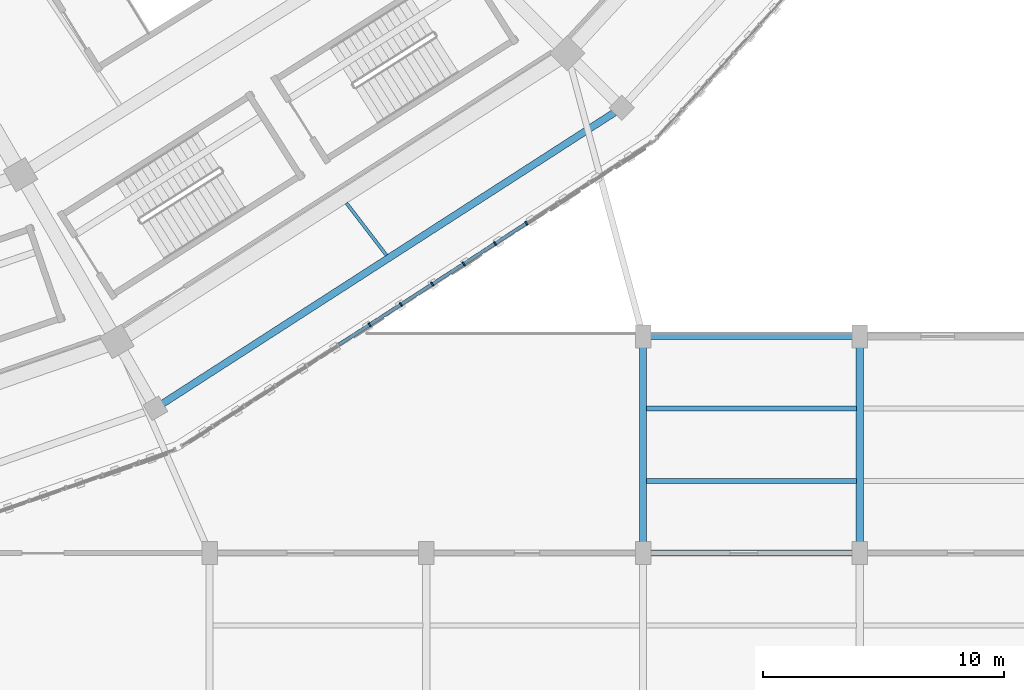
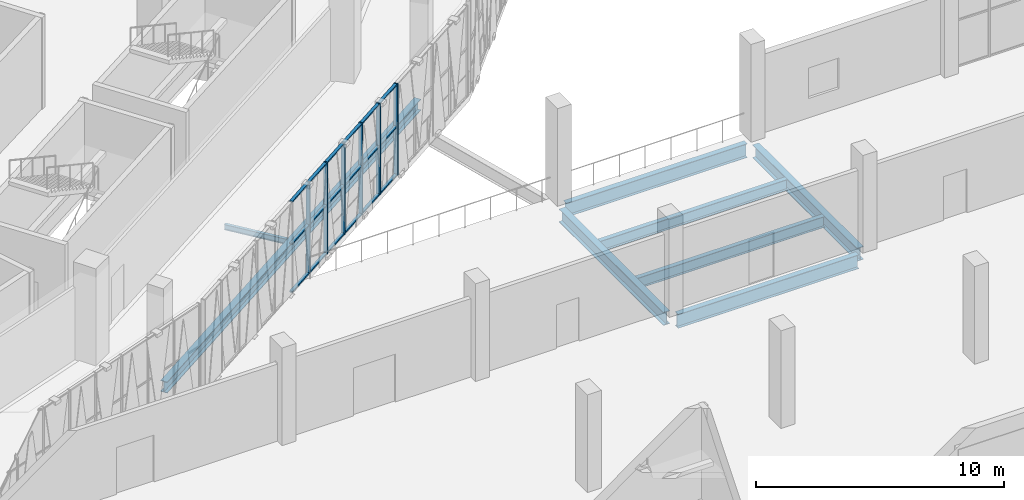
# One storey, part 31 of 179: 24 members, 8 beams, 1 element without a shape of its own.
"""IFC4 building model written with IfcOpenShell, lengths in metres."""

from ifc_helpers import new_model, si_unit, direction, frame, origin, origin_2d, place, context, subcontext, project, spatial, rectangle, i_section, extrude, material, material_profile, profile_set, type_object, element, aggregate, save


model = new_model("IFC4")

# Units and contexts
model_context = context("Model", 3, precision=1e-05, world=origin(), true_north=direction((0.0, 1.0)))
body_context = subcontext(model_context, "Body", "Model", "MODEL_VIEW")
ifc_project = project(units=[si_unit("LENGTHUNIT", "METRE"), si_unit("AREAUNIT", "SQUARE_METRE"), si_unit("VOLUMEUNIT", "CUBIC_METRE"), si_unit("PLANEANGLEUNIT", "RADIAN"), si_unit("MASSUNIT", "GRAM", prefix="KILO")], contexts=[model_context])

# Site, building, storey
site_placement = place(None, origin())
site = spatial("IfcSite", under=ifc_project, at=site_placement, CompositionType="ELEMENT")
building_placement = place(site_placement, origin())
building = spatial("IfcBuilding", under=site, at=building_placement, Name="Zevraka Park Crest Stadium", CompositionType="ELEMENT")
storey_placement = place(building_placement, frame((0.0, 0.0, 10.199951171875)))
storey = spatial("IfcBuildingStorey", under=building, at=storey_placement, Name="L02", CompositionType="ELEMENT", Elevation=10.199951171875)

# Beams
ifc_material_1 = material(Name="Steel S355", Category="steel")
ifc_material_profile_1 = material_profile(ifc_material_1, i_section(OverallWidth=0.253662109375, OverallDepth=0.68359375, WebThickness=0.012451171875, FlangeThickness=0.01904296875, at=origin_2d()), Name="UKB 686x254x140")
ifc_profile_set_1 = profile_set([ifc_material_profile_1], Name="Steel S355")
beam_type_1 = type_object("IfcBeamType", Name="BG05", PredefinedType="BEAM", material=ifc_profile_set_1)
for number, where, z_axis, x_axis, name in (
    (1, (179.300048828125, 18.0, -0.629638671875), (1.0, 0.0, 0.0), (0.0, 1.0, 0.0), "Wing Girder BG05 L02-2021/C"),
    (2, (179.300048828125, 27.0, -0.629638671875), (1.0, 0.0, 0.0), (0.0, 1.0, 0.0), "Wing Girder BG05 L02-2021/D"),
):
    element("IfcBeam", number, at=place(storey_placement, frame(where, z_axis=z_axis, x_axis=x_axis)), inside=storey, type_object=beam_type_1, Name=name, PredefinedType="BEAM", context=body_context, shape_type="SweptSolid", body=[
        extrude(i_section(OverallWidth=0.253662109375, OverallDepth=0.68359375, WebThickness=0.012451171875, FlangeThickness=0.01904296875, at=origin_2d()), origin(), (0.0, 0.0, 1.0), 8.39990234375),
    ])
ifc_material_2 = material(Name="Steel S355", Category="steel")
ifc_material_profile_2 = material_profile(ifc_material_2, i_section(OverallWidth=0.300048828125, OverallDepth=0.64990234375, WebThickness=0.01611328125, FlangeThickness=0.031005859375, at=origin_2d()), Name="HEB 650")
ifc_profile_set_2 = profile_set([ifc_material_profile_2], Name="Steel S355")
beam_type_2 = type_object("IfcBeamType", Name="BG07", PredefinedType="BEAM", material=ifc_profile_set_2)
for number, where, z_axis, x_axis, name in (
    (3, (179.0, 18.300048828125, -0.613037109375), (0.0, 1.0, 0.0), (-1.0, 0.0, 0.0), "Wing Girder BG07 L02-20/CD"),
    (4, (188.0, 18.300048828125, -0.613037109375), (0.0, 1.0, 0.0), (-1.0, 0.0, 0.0), "Wing Girder BG07 L02-21/CD"),
):
    element("IfcBeam", number, at=place(storey_placement, frame(where, z_axis=z_axis, x_axis=x_axis)), inside=storey, type_object=beam_type_2, Name=name, PredefinedType="BEAM", context=body_context, shape_type="SweptSolid", body=[
        extrude(i_section(OverallWidth=0.300048828125, OverallDepth=0.64990234375, WebThickness=0.01611328125, FlangeThickness=0.031005859375, at=origin_2d()), origin(), (0.0, 0.0, 1.0), 8.39990234375),
    ])

# Curtain wall, members
ifc_material_3 = material(Name="Anodised architectural aluminium and laminated safety glass", Category="aluminium")
curtain_wall_type = type_object("IfcCurtainWallType", Name="CW08", PredefinedType="NOTDEFINED", material=ifc_material_3)
curtain_wall_placement = place(storey_placement, origin())
curtain_wall = element("IfcCurtainWall", 5, at=curtain_wall_placement, inside=storey, type_object=curtain_wall_type, Name="Unitised Ring Curtain Wall CW08 L02-20", PredefinedType="NOTDEFINED")
ifc_material_4 = material(Name="Anodised architectural aluminium", Category="aluminium")
ifc_material_profile_3 = material_profile(ifc_material_4, rectangle(XDim=0.179931640625, YDim=0.06494140625, at=origin_2d()), Name="ALU MULLION 180x65")
ifc_profile_set_3 = profile_set([ifc_material_profile_3], Name="Anodised architectural aluminium")
member_type_1 = type_object("IfcMemberType", Name="CM02", PredefinedType="MULLION", material=ifc_profile_set_3)
member_1_placement = place(storey_placement, frame((167.6416015625, 27.484375, 0.0), z_axis=(0.0, 0.0, 1.0), x_axis=(-0.543096287444, 0.839670424967, 0.0)))
member_1 = element("IfcMember", 6, at=member_1_placement, type_object=member_type_1, Name="CW08 mullion 7", PredefinedType="MULLION", context=body_context, shape_type="SweptSolid", body=[
    extrude(rectangle(XDim=0.179931640625, YDim=0.06494140625, at=origin_2d()), origin(), (0.0, 0.0, 1.0), 4.5),
])
member_2_placement = place(storey_placement, frame((168.944580078125, 28.3271484375, 0.0), z_axis=(0.0, 0.0, 1.0), x_axis=(-0.543096287444, 0.839670424967, 0.0)))
member_2 = element("IfcMember", 7, at=member_2_placement, type_object=member_type_1, Name="CW08 mullion 8", PredefinedType="MULLION", context=body_context, shape_type="SweptSolid", body=[
    extrude(rectangle(XDim=0.179931640625, YDim=0.06494140625, at=origin_2d()), origin(), (0.0, 0.0, 1.0), 4.5),
])
member_3_placement = place(storey_placement, frame((170.24755859375, 29.169921875, 0.0), z_axis=(0.0, 0.0, 1.0), x_axis=(-0.543096287444, 0.839670424967, 0.0)))
member_3 = element("IfcMember", 8, at=member_3_placement, type_object=member_type_1, Name="CW08 mullion 9", PredefinedType="MULLION", context=body_context, shape_type="SweptSolid", body=[
    extrude(rectangle(XDim=0.179931640625, YDim=0.06494140625, at=origin_2d()), origin(), (0.0, 0.0, 1.0), 4.5),
])
member_4_placement = place(storey_placement, frame((171.55029296875, 30.0126953125, 0.0), z_axis=(0.0, 0.0, 1.0), x_axis=(-0.543096287444, 0.839670424967, 0.0)))
member_4 = element("IfcMember", 9, at=member_4_placement, type_object=member_type_1, Name="CW08 mullion 10", PredefinedType="MULLION", context=body_context, shape_type="SweptSolid", body=[
    extrude(rectangle(XDim=0.179931640625, YDim=0.06494140625, at=origin_2d()), origin(), (0.0, 0.0, 1.0), 4.5),
])
member_5_placement = place(storey_placement, frame((172.853271484375, 30.855224609375, 0.0), z_axis=(0.0, 0.0, 1.0), x_axis=(-0.543096287444, 0.839670424967, 0.0)))
member_5 = element("IfcMember", 10, at=member_5_placement, type_object=member_type_1, Name="CW08 mullion 11", PredefinedType="MULLION", context=body_context, shape_type="SweptSolid", body=[
    extrude(rectangle(XDim=0.179931640625, YDim=0.06494140625, at=origin_2d()), origin(), (0.0, 0.0, 1.0), 4.5),
])
member_6_placement = place(storey_placement, frame((174.15625, 31.697998046875, 0.0), z_axis=(0.0, 0.0, 1.0), x_axis=(-0.543096287444, 0.839670424967, 0.0)))
member_6 = element("IfcMember", 11, at=member_6_placement, type_object=member_type_1, Name="CW08 mullion 12", PredefinedType="MULLION", context=body_context, shape_type="SweptSolid", body=[
    extrude(rectangle(XDim=0.179931640625, YDim=0.06494140625, at=origin_2d()), origin(), (0.0, 0.0, 1.0), 4.5),
])
ifc_material_5 = material(Name="Anodised architectural aluminium", Category="aluminium")
ifc_material_profile_4 = material_profile(ifc_material_5, rectangle(XDim=0.139892578125, YDim=0.06494140625, at=origin_2d()), Name="ALU TRANSOM 140x65")
ifc_profile_set_4 = profile_set([ifc_material_profile_4], Name="Anodised architectural aluminium")
member_type_2 = type_object("IfcMemberType", Name="CT02", PredefinedType="USERDEFINED", material=ifc_profile_set_4)
member_7_placement = place(storey_placement, frame((166.365966796875, 26.659423828125, 0.032470703125), z_axis=(0.839675885301, 0.543087845236, 0.0), x_axis=(-0.543087845236, 0.839675885301, 0.0)))
member_7 = element("IfcMember", 12, at=member_7_placement, type_object=member_type_2, Name="CW08 transom 6.1", ObjectType="TRANSOM", PredefinedType="USERDEFINED", context=body_context, shape_type="SweptSolid", body=[
    extrude(rectangle(XDim=0.139892578125, YDim=0.06494140625, at=origin_2d()), origin(), (0.0, 0.0, 1.0), 1.486572265625),
])
member_8_placement = place(storey_placement, frame((166.365966796875, 26.659423828125, 2.400146484375), z_axis=(0.839675885301, 0.543087845236, 0.0), x_axis=(-0.543087845236, 0.839675885301, 0.0)))
member_8 = element("IfcMember", 13, at=member_8_placement, type_object=member_type_2, Name="CW08 transom 6.2", ObjectType="TRANSOM", PredefinedType="USERDEFINED", context=body_context, shape_type="SweptSolid", body=[
    extrude(rectangle(XDim=0.139892578125, YDim=0.06494140625, at=origin_2d()), origin(), (0.0, 0.0, 1.0), 1.486572265625),
])
member_9_placement = place(storey_placement, frame((166.365966796875, 26.659423828125, 4.467529296875), z_axis=(0.839675885301, 0.543087845236, 0.0), x_axis=(-0.543087845236, 0.839675885301, 0.0)))
member_9 = element("IfcMember", 14, at=member_9_placement, type_object=member_type_2, Name="CW08 transom 6.3", ObjectType="TRANSOM", PredefinedType="USERDEFINED", context=body_context, shape_type="SweptSolid", body=[
    extrude(rectangle(XDim=0.139892578125, YDim=0.06494140625, at=origin_2d()), origin(), (0.0, 0.0, 1.0), 1.486572265625),
])
member_10_placement = place(storey_placement, frame((167.6689453125, 27.501953125, 0.032470703125), z_axis=(0.839600995064, 0.543203616599, 0.0), x_axis=(-0.543203616599, 0.839600995064, 0.0)))
member_10 = element("IfcMember", 15, at=member_10_placement, type_object=member_type_2, Name="CW08 transom 7.1", ObjectType="TRANSOM", PredefinedType="USERDEFINED", context=body_context, shape_type="SweptSolid", body=[
    extrude(rectangle(XDim=0.139892578125, YDim=0.06494140625, at=origin_2d()), origin(), (0.0, 0.0, 1.0), 1.48681640625),
])
member_11_placement = place(storey_placement, frame((167.6689453125, 27.501953125, 2.400146484375), z_axis=(0.839600995064, 0.543203616599, 0.0), x_axis=(-0.543203616599, 0.839600995064, 0.0)))
member_11 = element("IfcMember", 16, at=member_11_placement, type_object=member_type_2, Name="CW08 transom 7.2", ObjectType="TRANSOM", PredefinedType="USERDEFINED", context=body_context, shape_type="SweptSolid", body=[
    extrude(rectangle(XDim=0.139892578125, YDim=0.06494140625, at=origin_2d()), origin(), (0.0, 0.0, 1.0), 1.48681640625),
])
member_12_placement = place(storey_placement, frame((167.6689453125, 27.501953125, 4.467529296875), z_axis=(0.839600995064, 0.543203616599, 0.0), x_axis=(-0.543203616599, 0.839600995064, 0.0)))
member_12 = element("IfcMember", 17, at=member_12_placement, type_object=member_type_2, Name="CW08 transom 7.3", ObjectType="TRANSOM", PredefinedType="USERDEFINED", context=body_context, shape_type="SweptSolid", body=[
    extrude(rectangle(XDim=0.139892578125, YDim=0.06494140625, at=origin_2d()), origin(), (0.0, 0.0, 1.0), 1.48681640625),
])
member_13_placement = place(storey_placement, frame((168.971923828125, 28.3447265625, 0.032470703125), z_axis=(0.839675885301, 0.543087845236, 0.0), x_axis=(-0.543087845236, 0.839675885301, 0.0)))
member_13 = element("IfcMember", 18, at=member_13_placement, type_object=member_type_2, Name="CW08 transom 8.1", ObjectType="TRANSOM", PredefinedType="USERDEFINED", context=body_context, shape_type="SweptSolid", body=[
    extrude(rectangle(XDim=0.139892578125, YDim=0.06494140625, at=origin_2d()), origin(), (0.0, 0.0, 1.0), 1.486572265625),
])
member_14_placement = place(storey_placement, frame((168.971923828125, 28.3447265625, 2.400146484375), z_axis=(0.839675885301, 0.543087845236, 0.0), x_axis=(-0.543087845236, 0.839675885301, 0.0)))
member_14 = element("IfcMember", 19, at=member_14_placement, type_object=member_type_2, Name="CW08 transom 8.2", ObjectType="TRANSOM", PredefinedType="USERDEFINED", context=body_context, shape_type="SweptSolid", body=[
    extrude(rectangle(XDim=0.139892578125, YDim=0.06494140625, at=origin_2d()), origin(), (0.0, 0.0, 1.0), 1.486572265625),
])
member_15_placement = place(storey_placement, frame((168.971923828125, 28.3447265625, 4.467529296875), z_axis=(0.839675885301, 0.543087845236, 0.0), x_axis=(-0.543087845236, 0.839675885301, 0.0)))
member_15 = element("IfcMember", 20, at=member_15_placement, type_object=member_type_2, Name="CW08 transom 8.3", ObjectType="TRANSOM", PredefinedType="USERDEFINED", context=body_context, shape_type="SweptSolid", body=[
    extrude(rectangle(XDim=0.139892578125, YDim=0.06494140625, at=origin_2d()), origin(), (0.0, 0.0, 1.0), 1.486572265625),
])
member_16_placement = place(storey_placement, frame((170.274658203125, 29.1875, 0.032470703125), z_axis=(0.839724312152, 0.543012964468, 0.0), x_axis=(-0.543012964468, 0.839724312152, 0.0)))
member_16 = element("IfcMember", 21, at=member_16_placement, type_object=member_type_2, Name="CW08 transom 9.1", ObjectType="TRANSOM", PredefinedType="USERDEFINED", context=body_context, shape_type="SweptSolid", body=[
    extrude(rectangle(XDim=0.139892578125, YDim=0.06494140625, at=origin_2d()), origin(), (0.0, 0.0, 1.0), 1.48681640625),
])
member_17_placement = place(storey_placement, frame((170.274658203125, 29.1875, 2.400146484375), z_axis=(0.839724312152, 0.543012964468, 0.0), x_axis=(-0.543012964468, 0.839724312152, 0.0)))
member_17 = element("IfcMember", 22, at=member_17_placement, type_object=member_type_2, Name="CW08 transom 9.2", ObjectType="TRANSOM", PredefinedType="USERDEFINED", context=body_context, shape_type="SweptSolid", body=[
    extrude(rectangle(XDim=0.139892578125, YDim=0.06494140625, at=origin_2d()), origin(), (0.0, 0.0, 1.0), 1.48681640625),
])
member_18_placement = place(storey_placement, frame((170.274658203125, 29.1875, 4.467529296875), z_axis=(0.839724312152, 0.543012964468, 0.0), x_axis=(-0.543012964468, 0.839724312152, 0.0)))
member_18 = element("IfcMember", 23, at=member_18_placement, type_object=member_type_2, Name="CW08 transom 9.3", ObjectType="TRANSOM", PredefinedType="USERDEFINED", context=body_context, shape_type="SweptSolid", body=[
    extrude(rectangle(XDim=0.139892578125, YDim=0.06494140625, at=origin_2d()), origin(), (0.0, 0.0, 1.0), 1.48681640625),
])
member_19_placement = place(storey_placement, frame((171.57763671875, 30.0302734375, 0.032470703125), z_axis=(0.839675885301, 0.543087845236, 0.0), x_axis=(-0.543087845236, 0.839675885301, 0.0)))
member_19 = element("IfcMember", 24, at=member_19_placement, type_object=member_type_2, Name="CW08 transom 10.1", ObjectType="TRANSOM", PredefinedType="USERDEFINED", context=body_context, shape_type="SweptSolid", body=[
    extrude(rectangle(XDim=0.139892578125, YDim=0.06494140625, at=origin_2d()), origin(), (0.0, 0.0, 1.0), 1.486572265625),
])
member_20_placement = place(storey_placement, frame((171.57763671875, 30.0302734375, 2.400146484375), z_axis=(0.839675885301, 0.543087845236, 0.0), x_axis=(-0.543087845236, 0.839675885301, 0.0)))
member_20 = element("IfcMember", 25, at=member_20_placement, type_object=member_type_2, Name="CW08 transom 10.2", ObjectType="TRANSOM", PredefinedType="USERDEFINED", context=body_context, shape_type="SweptSolid", body=[
    extrude(rectangle(XDim=0.139892578125, YDim=0.06494140625, at=origin_2d()), origin(), (0.0, 0.0, 1.0), 1.486572265625),
])
member_21_placement = place(storey_placement, frame((171.57763671875, 30.0302734375, 4.467529296875), z_axis=(0.839675885301, 0.543087845236, 0.0), x_axis=(-0.543087845236, 0.839675885301, 0.0)))
member_21 = element("IfcMember", 26, at=member_21_placement, type_object=member_type_2, Name="CW08 transom 10.3", ObjectType="TRANSOM", PredefinedType="USERDEFINED", context=body_context, shape_type="SweptSolid", body=[
    extrude(rectangle(XDim=0.139892578125, YDim=0.06494140625, at=origin_2d()), origin(), (0.0, 0.0, 1.0), 1.486572265625),
])
member_22_placement = place(storey_placement, frame((172.880615234375, 30.873046875, 0.032470703125), z_axis=(0.839675885301, 0.543087845236, 0.0), x_axis=(-0.543087845236, 0.839675885301, 0.0)))
member_22 = element("IfcMember", 27, at=member_22_placement, type_object=member_type_2, Name="CW08 transom 11.1", ObjectType="TRANSOM", PredefinedType="USERDEFINED", context=body_context, shape_type="SweptSolid", body=[
    extrude(rectangle(XDim=0.139892578125, YDim=0.06494140625, at=origin_2d()), origin(), (0.0, 0.0, 1.0), 1.486572265625),
])
member_23_placement = place(storey_placement, frame((172.880615234375, 30.873046875, 2.400146484375), z_axis=(0.839675885301, 0.543087845236, 0.0), x_axis=(-0.543087845236, 0.839675885301, 0.0)))
member_23 = element("IfcMember", 28, at=member_23_placement, type_object=member_type_2, Name="CW08 transom 11.2", ObjectType="TRANSOM", PredefinedType="USERDEFINED", context=body_context, shape_type="SweptSolid", body=[
    extrude(rectangle(XDim=0.139892578125, YDim=0.06494140625, at=origin_2d()), origin(), (0.0, 0.0, 1.0), 1.486572265625),
])
member_24_placement = place(storey_placement, frame((172.880615234375, 30.873046875, 4.467529296875), z_axis=(0.839675885301, 0.543087845236, 0.0), x_axis=(-0.543087845236, 0.839675885301, 0.0)))
member_24 = element("IfcMember", 29, at=member_24_placement, type_object=member_type_2, Name="CW08 transom 11.3", ObjectType="TRANSOM", PredefinedType="USERDEFINED", context=body_context, shape_type="SweptSolid", body=[
    extrude(rectangle(XDim=0.139892578125, YDim=0.06494140625, at=origin_2d()), origin(), (0.0, 0.0, 1.0), 1.486572265625),
])
aggregate(curtain_wall, [member_1, member_2, member_3, member_4, member_5, member_6, member_7, member_8, member_9, member_10, member_11, member_12, member_13, member_14, member_15, member_16, member_17, member_18, member_19, member_20, member_21, member_22, member_23, member_24])

# Beams
ifc_material_6 = material(Name="Steel S355", Category="steel")
ifc_material_profile_5 = material_profile(ifc_material_6, i_section(OverallWidth=0.300048828125, OverallDepth=0.550048828125, WebThickness=0.014892578125, FlangeThickness=0.029052734375, at=origin_2d()), Name="HEB 550")
ifc_profile_set_5 = profile_set([ifc_material_profile_5], Name="Steel S355")
beam_type_3 = type_object("IfcBeamType", Name="RB04", PredefinedType="BEAM", material=ifc_profile_set_5)
beam_1_placement = place(storey_placement, frame((159.0439453125, 24.20703125, -0.5849609375), z_axis=(0.840676981124, 0.541536899396, 0.0), x_axis=(-0.541536899396, 0.840676981124, 0.0)))
element("IfcBeam", 30, at=beam_1_placement, inside=storey, type_object=beam_type_3, Name="Ring Beam RB04 L02-E-20", PredefinedType="BEAM", context=body_context, shape_type="SweptSolid", body=[
    extrude(i_section(OverallWidth=0.300048828125, OverallDepth=0.550048828125, WebThickness=0.014892578125, FlangeThickness=0.029052734375, at=origin_2d()), origin(), (0.0, 0.0, 1.0), 22.33447265625),
])
ifc_material_7 = material(Name="Steel S355", Category="steel")
ifc_material_profile_6 = material_profile(ifc_material_7, i_section(OverallWidth=0.209228515625, OverallDepth=0.533203125, WebThickness=0.010009765625, FlangeThickness=0.015625, at=origin_2d()), Name="UKB 533x210x92")
ifc_profile_set_6 = profile_set([ifc_material_profile_6], Name="Steel S355")
beam_type_4 = type_object("IfcBeamType", Name="SJ05", PredefinedType="JOIST", material=ifc_profile_set_6)
for number, where, z_axis, x_axis, name in (
    (31, (179.14501953125, 21.0, -0.556396484375), (1.0, 0.0, 0.0), (0.0, 1.0, 0.0), "Wing Joist SJ05 L02-20/C-1"),
    (32, (179.14501953125, 24.0, -0.556396484375), (1.0, 0.0, 0.0), (0.0, 1.0, 0.0), "Wing Joist SJ05 L02-20/C-2"),
):
    element("IfcBeam", number, at=place(storey_placement, frame(where, z_axis=z_axis, x_axis=x_axis)), inside=storey, type_object=beam_type_4, Name=name, PredefinedType="JOIST", context=body_context, shape_type="SweptSolid", body=[
        extrude(i_section(OverallWidth=0.209228515625, OverallDepth=0.533203125, WebThickness=0.010009765625, FlangeThickness=0.015625, at=origin_2d()), origin(), (0.0, 0.0, 1.0), 8.7099609375),
    ])
ifc_material_8 = material(Name="Steel S355", Category="steel")
ifc_material_profile_7 = material_profile(ifc_material_8, i_section(OverallWidth=0.135009765625, OverallDepth=0.27001953125, WebThickness=0.006591796875, FlangeThickness=0.01025390625, at=origin_2d()), Name="IPE 270")
ifc_profile_set_7 = profile_set([ifc_material_profile_7], Name="Steel S355")
beam_type_5 = type_object("IfcBeamType", Name="SJ07", PredefinedType="JOIST", material=ifc_profile_set_7)
beam_2_placement = place(storey_placement, frame((166.680908203125, 32.537109375, -0.4228515625), z_axis=(0.608829249804, -0.793301294959, 0.0), x_axis=(0.793301294959, 0.608829249804, 0.0)))
element("IfcBeam", 33, at=beam_2_placement, inside=storey, type_object=beam_type_5, Name="Floor Joist SJ07 L02-DE-20-1", PredefinedType="JOIST", context=body_context, shape_type="SweptSolid", body=[
    extrude(i_section(OverallWidth=0.135009765625, OverallDepth=0.27001953125, WebThickness=0.006591796875, FlangeThickness=0.01025390625, at=origin_2d()), origin(), (0.0, 0.0, 1.0), 2.731689453125),
])

save(model, "model.ifc")
